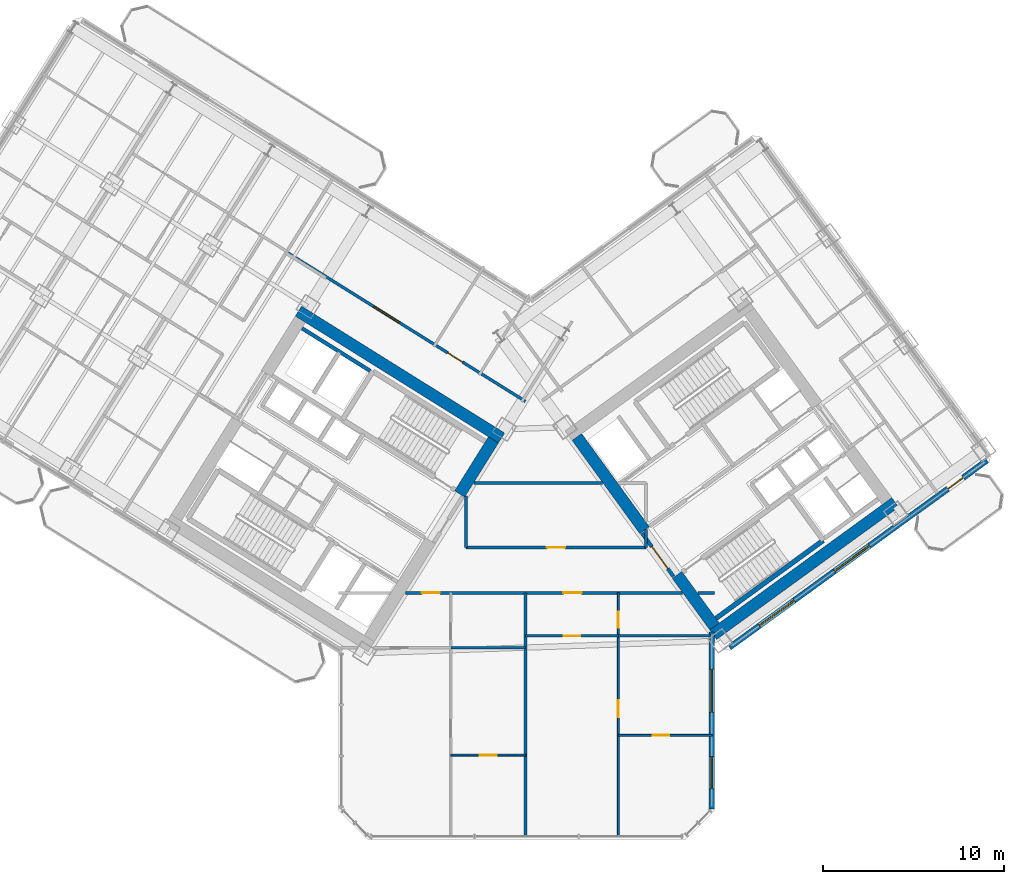
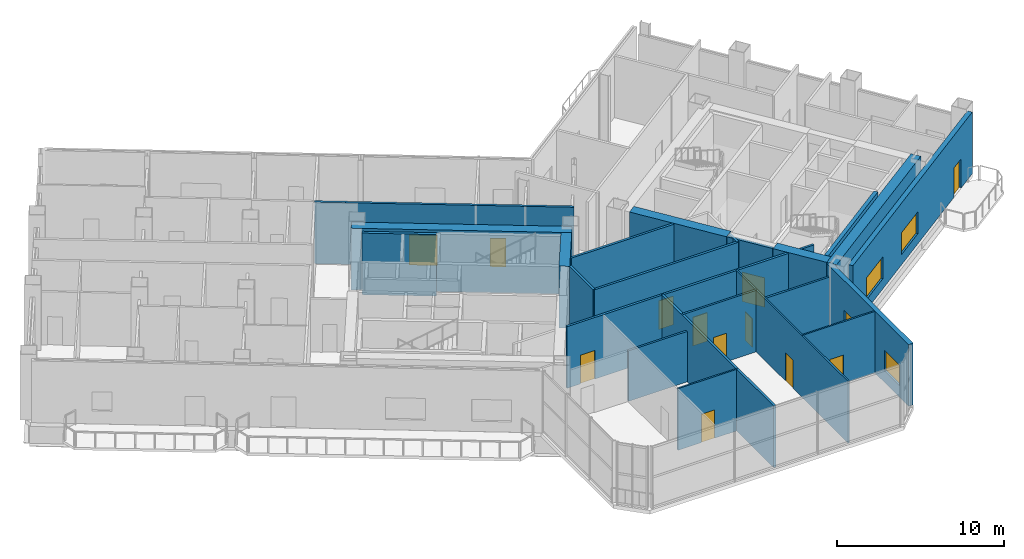
# One storey, part 14 of 22: 24 walls, 12 doors, 4 windows, 16 openings.
"""IFC4 building model written with IfcOpenShell, lengths in metres."""

from ifc_helpers import new_model, si_unit, direction, frame, frame_2d, origin, place, context, subcontext, project, spatial, rectangle, extrude, source, transform, mapped, material, layer, layer_set, type_object, element, fill, save


model = new_model("IFC4")

# Units and contexts
model_context = context("Model", 3, precision=1e-05, world=origin(), true_north=direction((0.0, 1.0)))
body_context = subcontext(model_context, "Body", "Model", "MODEL_VIEW")
ifc_project = project(units=[si_unit("LENGTHUNIT", "METRE"), si_unit("AREAUNIT", "SQUARE_METRE"), si_unit("VOLUMEUNIT", "CUBIC_METRE"), si_unit("PLANEANGLEUNIT", "RADIAN"), si_unit("MASSUNIT", "GRAM", prefix="KILO")], contexts=[model_context])

# Site, building, storey
site_placement = place(None, origin())
site = spatial("IfcSite", under=ifc_project, at=site_placement, CompositionType="ELEMENT")
building_placement = place(site_placement, origin())
building = spatial("IfcBuilding", under=site, at=building_placement, Name="Tlacorven Tower", CompositionType="ELEMENT")
storey_placement = place(building_placement, frame((0.0, 0.0, 71.699951171875)))
storey = spatial("IfcBuildingStorey", under=building, at=storey_placement, Name="L18", CompositionType="ELEMENT", Elevation=71.699951171875)

# Walls
ifc_material_1 = material(Name="Concrete C60/75", Category="concrete")
ifc_layer_1 = layer(ifc_material_1, 0.64990234375)
ifc_layer_set_1 = layer_set([ifc_layer_1], Name="Concrete C60/75")
wall_type_1 = type_object("IfcWallType", Name="WL-COR-650", PredefinedType="SHEAR", material=ifc_layer_set_1)
wall_1_placement = place(storey_placement, frame((40.615478515625, 23.9833984375, 0.0), z_axis=(0.0, 0.0, 1.0), x_axis=(-0.848045953968, 0.529922692436, 0.0)))
element("IfcWall", 1, at=wall_1_placement, inside=storey, type_object=wall_type_1, Name="L18 W core shear wall S1", PredefinedType="SHEAR", context=body_context, shape_type="SweptSolid", body=[
    extrude(rectangle(XDim=13.239990234375, YDim=0.64990234375, at=frame_2d((6.6201171875, 0.0))), origin(), (0.0, 0.0, 1.0), 4.52001953125),
])
wall_2_placement = place(storey_placement, frame((40.167724609375, 23.880126953125, 0.0), z_axis=(0.0, 0.0, 1.0), x_axis=(-0.529893103397, -0.8480644427, 0.0)))
element("IfcWall", 2, at=wall_2_placement, inside=storey, type_object=wall_type_1, Name="L18 W core end wall E1.1", PredefinedType="SHEAR", context=body_context, shape_type="SweptSolid", body=[
    extrude(rectangle(XDim=3.525146484375, YDim=0.64990234375, at=frame_2d((1.7626953125, 0.0))), origin(), (0.0, 0.0, 1.0), 4.52001953125),
])
wall_3_placement = place(storey_placement, frame((52.318359375, 13.1103515625, 0.0), z_axis=(0.0, 0.0, 1.0), x_axis=(0.809019445368, 0.587781878776, 0.0)))
element("IfcWall", 3, at=wall_3_placement, inside=storey, type_object=wall_type_1, Name="L18 E core shear wall S1", PredefinedType="SHEAR", context=body_context, shape_type="SweptSolid", body=[
    extrude(rectangle(XDim=12.43994140625, YDim=0.64990234375, at=frame_2d((6.219970703125, 0.0))), origin(), (0.0, 0.0, 1.0), 4.52001953125),
])
wall_4_placement = place(storey_placement, frame((52.390380859375, 13.564208984375, 0.0), z_axis=(0.0, 0.0, 1.0), x_axis=(-0.58779688989, 0.809008539037, 0.0)))
element("IfcWall", 4, at=wall_4_placement, inside=storey, type_object=wall_type_1, Name="L18 E core end wall E1.1", PredefinedType="SHEAR", context=body_context, shape_type="SweptSolid", body=[
    extrude(rectangle(XDim=3.525146484375, YDim=0.64990234375, at=frame_2d((1.7626953125, 0.0))), origin(), (0.0, 0.0, 1.0), 4.52001953125),
])
wall_5_placement = place(storey_placement, frame((48.525634765625, 18.883544921875, 0.0), z_axis=(0.0, 0.0, 1.0), x_axis=(-0.58777996584, 0.809020835181, 0.0)))
element("IfcWall", 5, at=wall_5_placement, inside=storey, type_object=wall_type_1, Name="L18 E core end wall E1.2", PredefinedType="SHEAR", context=body_context, shape_type="SweptSolid", body=[
    extrude(rectangle(XDim=6.375, YDim=0.64990234375, at=frame_2d((3.1875, 0.0))), origin(), (0.0, 0.0, 1.0), 4.52001953125),
])

# Wall, openings, doors
ifc_material_2 = material(Name="Gypsum plasterboard acoustic partition", Category="gypsum")
ifc_layer_2 = layer(ifc_material_2, 0.159912109375)
ifc_layer_set_2 = layer_set([ifc_layer_2], Name="Gypsum plasterboard acoustic partition")
wall_type_2 = type_object("IfcWallType", Name="WL-DEM-160", PredefinedType="PARTITIONING", material=ifc_layer_set_2)
wall_6_placement = place(storey_placement, frame((41.93603515625, 26.011962890625, 0.0), z_axis=(0.0, 0.0, 1.0), x_axis=(-0.848051154596, 0.529914369676, 0.0)))
wall_6 = element("IfcWall", 6, at=wall_6_placement, inside=storey, type_object=wall_type_2, Name="L18 partition 73", PredefinedType="PARTITIONING", context=body_context, shape_type="SweptSolid", body=[
    extrude(rectangle(XDim=15.56982421875, YDim=0.159912109375, at=frame_2d((7.784912109375, 0.0))), origin(), (0.0, 0.0, 1.0), 4.510009765625),
])
opening_1_placement = place(wall_6_placement, frame((4.10009765625, 0.0, 0.0)))
opening_1 = element("IfcOpeningElement", 7, at=opening_1_placement, cuts=wall_6, Name="Opening D14", PredefinedType="OPENING", context=body_context, shape_type="SweptSolid", body=[
    extrude(rectangle(XDim=0.9599609375, YDim=2.080078125, at=frame_2d((0.47998046875, 1.0400390625))), frame((0.0, 0.08984375, 0.0), z_axis=(0.0, -1.0, 0.0), x_axis=(1.0, 0.0, 0.0)), (0.0, 0.0, 1.0), 0.179931640625),
])
opening_2_placement = place(wall_6_placement, frame((8.199951171875, 0.0, 0.0)))
opening_2 = element("IfcOpeningElement", 8, at=opening_2_placement, cuts=wall_6, Name="Opening D17", PredefinedType="OPENING", context=body_context, shape_type="SweptSolid", body=[
    extrude(rectangle(XDim=1.699951171875, YDim=2.199951171875, at=frame_2d((0.85009765625, 1.10009765625))), frame((0.0, 0.08984375, 0.0), z_axis=(0.0, -1.0, 0.0), x_axis=(1.0, 0.0, 0.0)), (0.0, 0.0, 1.0), 0.179931640625),
])
ifc_material_3 = material(Name="Fire-rated steel door assembly", Category="steel")
door_type_1 = type_object("IfcDoorType", Name="DR-COM-HALL-1700", OperationType="DOUBLE_DOOR_SINGLE_SWING", PredefinedType="DOOR", material=ifc_material_3)
shared_shape_1 = source(origin(), body_context, "Body", "SweptSolid", [
    extrude(rectangle(XDim=1.699951171875, YDim=2.199951171875, at=frame_2d((0.85009765625, 1.10009765625))), frame((0.0, 0.02490234375, 0.0), z_axis=(0.0, -1.0, 0.0), x_axis=(1.0, 0.0, 0.0)), (0.0, 0.0, 1.0), 0.050048828125),
])
door_1_placement = place(opening_2_placement, origin())
door_1 = element("IfcDoor", 9, at=door_1_placement, inside=storey, type_object=door_type_1, Name="L18 door 044", OperationType="DOUBLE_DOOR_SINGLE_SWING", OverallHeight=2.199951171875, OverallWidth=1.699951171875, PredefinedType="DOOR", context=body_context, shape_type="MappedRepresentation", body=[
    mapped(shared_shape_1, transform((0.0, 0.0, 0.0), scale=1.0)),
])
fill(opening_2, door_1)
ifc_material_4 = material(Name="Powder-coated aluminium and timber door", Category="wood")
door_type_2 = type_object("IfcDoorType", Name="DR-INT-AWC-0960", OperationType="NOTDEFINED", PredefinedType="DOOR", material=ifc_material_4)
shared_shape_2 = source(origin(), body_context, "Body", "SweptSolid", [
    extrude(rectangle(XDim=0.9599609375, YDim=2.080078125, at=frame_2d((0.47998046875, 1.0400390625))), frame((0.0, 0.02490234375, 0.0), z_axis=(0.0, -1.0, 0.0), x_axis=(1.0, 0.0, 0.0)), (0.0, 0.0, 1.0), 0.050048828125),
])
door_2_placement = place(opening_1_placement, origin())
door_2 = element("IfcDoor", 10, at=door_2_placement, inside=storey, type_object=door_type_2, Name="L18 door 043", OperationType="SINGLE_SWING_LEFT", OverallHeight=2.080078125, OverallWidth=0.9599609375, PredefinedType="DOOR", context=body_context, shape_type="MappedRepresentation", body=[
    mapped(shared_shape_2, transform((0.0, 0.0, 0.0), scale=1.0)),
])
fill(opening_1, door_2)

wall_7_placement = place(storey_placement, frame((35.29638671875, 15.419921875, 0.0), z_axis=(0.0, 0.0, 1.0), x_axis=(1.0, 0.0, 0.0)))
wall_7 = element("IfcWall", 11, at=wall_7_placement, inside=storey, type_object=wall_type_2, Name="L18 Knuckle Corridor South Wall", PredefinedType="PARTITIONING", context=body_context, shape_type="SweptSolid", body=[
    extrude(rectangle(XDim=15.310546875, YDim=0.159912109375, at=frame_2d((7.6552734375, 0.0))), origin(), (0.0, 0.0, 1.0), 4.510009765625),
])
opening_3_placement = place(wall_7_placement, frame((0.91015625, 0.0, 0.0)))
opening_3 = element("IfcOpeningElement", 12, at=opening_3_placement, cuts=wall_7, Name="Opening D11", PredefinedType="OPENING", context=body_context, shape_type="SweptSolid", body=[
    extrude(rectangle(XDim=1.0, YDim=2.10009765625, at=frame_2d((0.5, 1.050048828125))), frame((0.0, 0.08984375, 0.0), z_axis=(0.0, -1.0, 0.0), x_axis=(1.0, 0.0, 0.0)), (0.0, 0.0, 1.0), 0.179931640625),
])
opening_4_placement = place(wall_7_placement, frame((8.73974609375, 0.0, 0.0)))
opening_4 = element("IfcOpeningElement", 13, at=opening_4_placement, cuts=wall_7, Name="Opening D11", PredefinedType="OPENING", context=body_context, shape_type="SweptSolid", body=[
    extrude(rectangle(XDim=1.0, YDim=2.10009765625, at=frame_2d((0.5, 1.050048828125))), frame((0.0, 0.08984375, 0.0), z_axis=(0.0, -1.0, 0.0), x_axis=(1.0, 0.0, 0.0)), (0.0, 0.0, 1.0), 0.179931640625),
])
door_type_3 = type_object("IfcDoorType", Name="DR-FLT-FD60-1000", OperationType="NOTDEFINED", PredefinedType="DOOR", material=ifc_material_3)
shared_shape_3 = source(origin(), body_context, "Body", "SweptSolid", [
    extrude(rectangle(XDim=1.0, YDim=2.10009765625, at=frame_2d((0.5, 1.050048828125))), frame((0.0, 0.02490234375, 0.0), z_axis=(0.0, -1.0, 0.0), x_axis=(1.0, 0.0, 0.0)), (0.0, 0.0, 1.0), 0.050048828125),
])
door_3_placement = place(opening_3_placement, frame((1.0, 0.0, 0.0), z_axis=(0.0, 0.0, 1.0), x_axis=(-1.0, 0.0, 0.0)))
door_3 = element("IfcDoor", 14, at=door_3_placement, inside=storey, type_object=door_type_3, Name="L18 door 050", OperationType="SINGLE_SWING_LEFT", OverallHeight=2.10009765625, OverallWidth=1.0, PredefinedType="DOOR", context=body_context, shape_type="MappedRepresentation", body=[
    mapped(shared_shape_3, transform((0.0, 0.0, 0.0), scale=1.0)),
])
fill(opening_3, door_3)
door_4_placement = place(opening_4_placement, frame((1.0, 0.0, 0.0), z_axis=(0.0, 0.0, 1.0), x_axis=(-1.0, 0.0, 0.0)))
door_4 = element("IfcDoor", 15, at=door_4_placement, inside=storey, type_object=door_type_3, Name="L18 door 055", OperationType="SINGLE_SWING_RIGHT", OverallHeight=2.10009765625, OverallWidth=1.0, PredefinedType="DOOR", context=body_context, shape_type="MappedRepresentation", body=[
    mapped(shared_shape_3, transform((0.0, 0.0, 0.0), scale=1.0)),
])
fill(opening_4, door_4)

# Wall
wall_8_placement = place(storey_placement, frame((51.477294921875, 15.419921875, 0.0), z_axis=(0.0, 0.0, 1.0), x_axis=(1.0, 0.0, 0.0)))
element("IfcWall", 16, at=wall_8_placement, inside=storey, type_object=wall_type_2, Name="L18 Knuckle Corridor South Wall", PredefinedType="PARTITIONING", context=body_context, shape_type="SweptSolid", body=[
    extrude(rectangle(XDim=0.922607421875, YDim=0.159912109375, at=frame_2d((0.46142578125, 0.0))), origin(), (0.0, 0.0, 1.0), 4.510009765625),
])

# Wall, opening, door
wall_9_placement = place(storey_placement, frame((38.64990234375, 17.929931640625, 0.0), z_axis=(0.0, 0.0, 1.0), x_axis=(1.0, 0.0, 0.0)))
wall_9 = element("IfcWall", 17, at=wall_9_placement, inside=storey, type_object=wall_type_2, Name="L18 partition 80", PredefinedType="PARTITIONING", context=body_context, shape_type="SweptSolid", body=[
    extrude(rectangle(XDim=9.9501953125, YDim=0.159912109375, at=frame_2d((4.97509765625, 0.0))), origin(), (0.0, 0.0, 1.0), 4.510009765625),
])
opening_5_placement = place(wall_9_placement, frame((4.47509765625, 0.0, 0.0)))
opening_5 = element("IfcOpeningElement", 18, at=opening_5_placement, cuts=wall_9, Name="Opening D11", PredefinedType="OPENING", context=body_context, shape_type="SweptSolid", body=[
    extrude(rectangle(XDim=1.0, YDim=2.10009765625, at=frame_2d((0.5, 1.050048828125))), frame((0.0, 0.08984375, 0.0), z_axis=(0.0, -1.0, 0.0), x_axis=(1.0, 0.0, 0.0)), (0.0, 0.0, 1.0), 0.179931640625),
])
door_5_placement = place(opening_5_placement, origin())
door_5 = element("IfcDoor", 19, at=door_5_placement, inside=storey, type_object=door_type_3, Name="L18 door 045", OperationType="SINGLE_SWING_RIGHT", OverallHeight=2.10009765625, OverallWidth=1.0, PredefinedType="DOOR", context=body_context, shape_type="MappedRepresentation", body=[
    mapped(shared_shape_3, transform((0.0, 0.0, 0.0), scale=1.0)),
])
fill(opening_5, door_5)

# Walls
wall_10_placement = place(storey_placement, frame((38.64990234375, 17.929931640625, 0.0), z_axis=(0.0, 0.0, 1.0), x_axis=(0.0, 1.0, 0.0)))
element("IfcWall", 20, at=wall_10_placement, inside=storey, type_object=wall_type_2, Name="L18 partition 81", PredefinedType="PARTITIONING", context=body_context, shape_type="SweptSolid", body=[
    extrude(rectangle(XDim=2.85693359375, YDim=0.159912109375, at=frame_2d((1.428466796875, 0.0))), origin(), (0.0, 0.0, 1.0), 4.510009765625),
])
wall_11_placement = place(storey_placement, frame((48.60009765625, 17.929931640625, 0.0), z_axis=(0.0, 0.0, 1.0), x_axis=(0.0, 1.0, 0.0)))
element("IfcWall", 21, at=wall_11_placement, inside=storey, type_object=wall_type_2, Name="L18 partition 82", PredefinedType="PARTITIONING", context=body_context, shape_type="SweptSolid", body=[
    extrude(rectangle(XDim=0.99267578125, YDim=0.159912109375, at=frame_2d((0.496337890625, 0.0))), origin(), (0.0, 0.0, 1.0), 4.510009765625),
])
wall_12_placement = place(storey_placement, frame((39.095458984375, 21.5, 0.0), z_axis=(0.0, 0.0, 1.0), x_axis=(1.0, 0.0, 0.0)))
element("IfcWall", 22, at=wall_12_placement, inside=storey, type_object=wall_type_2, Name="L18 partition 83", PredefinedType="PARTITIONING", context=body_context, shape_type="SweptSolid", body=[
    extrude(rectangle(XDim=7.09423828125, YDim=0.159912109375, at=frame_2d((3.547119140625, 0.0))), origin(), (0.0, 0.0, 1.0), 4.510009765625),
])
wall_13_placement = place(storey_placement, frame((41.949951171875, 1.9599609375, 0.0), z_axis=(0.0, 0.0, 1.0), x_axis=(0.0, 1.0, 0.0)))
element("IfcWall", 23, at=wall_13_placement, inside=storey, type_object=wall_type_2, Name="L18 Knuckle Demising Wall 1", PredefinedType="PARTITIONING", context=body_context, shape_type="SweptSolid", body=[
    extrude(rectangle(XDim=13.4599609375, YDim=0.159912109375, at=frame_2d((6.72998046875, 0.0))), origin(), (0.0, 0.0, 1.0), 4.510009765625),
])

# Wall, openings, door, windows
ifc_material_5 = material(Name="Precast concrete C45/55", Category="concrete")
ifc_layer_3 = layer(ifc_material_5, 0.320068359375)
ifc_layer_set_3 = layer_set([ifc_layer_3], Name="Precast concrete C45/55")
wall_type_3 = type_object("IfcWallType", Name="WL-EXT-320", PredefinedType="STANDARD", material=ifc_layer_set_3)
wall_14_placement = place(storey_placement, frame((67.45361328125, 22.746826171875, 0.0), z_axis=(0.0, 0.0, 1.0), x_axis=(-0.809021120468, -0.587779573171, 0.0)))
wall_14 = element("IfcWall", 24, at=wall_14_placement, inside=storey, type_object=wall_type_3, Name="L18 Masonry-Frame Recessed Facade Wall 6", PredefinedType="STANDARD", context=body_context, shape_type="SweptSolid", body=[
    extrude(rectangle(XDim=17.587646484375, YDim=0.320068359375, at=frame_2d((8.7939453125, 0.0))), origin(), (0.0, 0.0, 1.0), 4.52001953125),
])
opening_6_placement = place(wall_14_placement, frame((1.623779296875, 0.0, 0.0)))
opening_6 = element("IfcOpeningElement", 25, at=opening_6_placement, cuts=wall_14, Name="Opening D06", PredefinedType="OPENING", context=body_context, shape_type="SweptSolid", body=[
    extrude(rectangle(XDim=1.050048828125, YDim=2.14990234375, at=frame_2d((0.52490234375, 1.074951171875))), frame((0.0, 0.169921875, 0.0), z_axis=(0.0, -1.0, 0.0), x_axis=(1.0, 0.0, 0.0)), (0.0, 0.0, 1.0), 0.340087890625),
])
opening_7_placement = place(wall_14_placement, frame((8.018798828125, 0.0, 0.75)))
opening_7 = element("IfcOpeningElement", 26, at=opening_7_placement, cuts=wall_14, Name="Opening WN06", PredefinedType="OPENING", context=body_context, shape_type="SweptSolid", body=[
    extrude(rectangle(XDim=2.39990234375, YDim=1.60009765625, at=frame_2d((1.199951171875, 0.800048828125))), frame((0.0, 0.169921875, 0.0), z_axis=(0.0, -1.0, 0.0), x_axis=(1.0, 0.0, 0.0)), (0.0, 0.0, 1.0), 0.340087890625),
])
opening_8_placement = place(wall_14_placement, frame((13.168701171875, 0.0, 0.75)))
opening_8 = element("IfcOpeningElement", 27, at=opening_8_placement, cuts=wall_14, Name="Opening WN06", PredefinedType="OPENING", context=body_context, shape_type="SweptSolid", body=[
    extrude(rectangle(XDim=2.39990234375, YDim=1.60009765625, at=frame_2d((1.199951171875, 0.800048828125))), frame((0.0, 0.169921875, 0.0), z_axis=(0.0, -1.0, 0.0), x_axis=(1.0, 0.0, 0.0)), (0.0, 0.0, 1.0), 0.340087890625),
])
door_type_4 = type_object("IfcDoorType", Name="DR-EXT-BALC-1050", OperationType="NOTDEFINED", PredefinedType="DOOR", material=ifc_material_4)
shared_shape_4 = source(origin(), body_context, "Body", "SweptSolid", [
    extrude(rectangle(XDim=1.050048828125, YDim=2.14990234375, at=frame_2d((0.52490234375, 1.074951171875))), frame((0.0, 0.02490234375, 0.0), z_axis=(0.0, -1.0, 0.0), x_axis=(1.0, 0.0, 0.0)), (0.0, 0.0, 1.0), 0.050048828125),
])
door_6_placement = place(opening_6_placement, origin())
door_6 = element("IfcDoor", 28, at=door_6_placement, inside=storey, type_object=door_type_4, Name="L18 Outdoor Access Door BAL-L18-E-OUT", OperationType="SINGLE_SWING_LEFT", OverallHeight=2.14990234375, OverallWidth=1.050048828125, PredefinedType="DOOR", context=body_context, shape_type="MappedRepresentation", body=[
    mapped(shared_shape_4, transform((0.0, 0.0, 0.0), scale=1.0)),
])
fill(opening_6, door_6)
ifc_material_6 = material(Name="Dark solar low-E double glazing in anodised aluminium frame", Category="aluminium")
window_type_1 = type_object("IfcWindowType", Name="WN-APT-2400X1800", PartitioningType="SINGLE_PANEL", PredefinedType="WINDOW", material=ifc_material_6)
shared_shape_5 = source(origin(), body_context, "Body", "SweptSolid", [
    extrude(rectangle(XDim=2.39990234375, YDim=1.60009765625, at=frame_2d((1.199951171875, 0.800048828125))), frame((0.0, 0.030029296875, 0.0), z_axis=(0.0, -1.0, 0.0), x_axis=(1.0, 0.0, 0.0)), (0.0, 0.0, 1.0), 0.06005859375),
])
window_1_placement = place(opening_7_placement, origin())
window_1 = element("IfcWindow", 29, at=window_1_placement, inside=storey, type_object=window_type_1, Name="L18 Recessed Masonry-Frame Window L18-06.1", OverallHeight=1.60009765625, OverallWidth=2.39990234375, PartitioningType="SINGLE_PANEL", PredefinedType="WINDOW", context=body_context, shape_type="MappedRepresentation", body=[
    mapped(shared_shape_5, transform((0.0, 0.0, 0.0), scale=1.0)),
])
fill(opening_7, window_1)
window_2_placement = place(opening_8_placement, origin())
window_2 = element("IfcWindow", 30, at=window_2_placement, inside=storey, type_object=window_type_1, Name="L18 Recessed Masonry-Frame Window L18-06.2", OverallHeight=1.60009765625, OverallWidth=2.39990234375, PartitioningType="SINGLE_PANEL", PredefinedType="WINDOW", context=body_context, shape_type="MappedRepresentation", body=[
    mapped(shared_shape_5, transform((0.0, 0.0, 0.0), scale=1.0)),
])
fill(opening_8, window_2)

# Wall, openings, windows
wall_15_placement = place(storey_placement, frame((52.239990234375, 13.260986328125, 0.0), z_axis=(0.0, 0.0, 1.0), x_axis=(0.0, -1.0, 0.0)))
wall_15 = element("IfcWall", 31, at=wall_15_placement, inside=storey, type_object=wall_type_3, Name="L18 Masonry-Frame Recessed Facade Wall 7", PredefinedType="STANDARD", context=body_context, shape_type="SweptSolid", body=[
    extrude(rectangle(XDim=9.794677734375, YDim=0.320068359375, at=frame_2d((4.8974609375, 0.0))), origin(), (0.0, 0.0, 1.0), 4.52001953125),
])
opening_9_placement = place(wall_15_placement, frame((2.04931640625, 0.0, 0.75)))
opening_9 = element("IfcOpeningElement", 32, at=opening_9_placement, cuts=wall_15, Name="Opening WN06", PredefinedType="OPENING", context=body_context, shape_type="SweptSolid", body=[
    extrude(rectangle(XDim=2.39990234375, YDim=1.60009765625, at=frame_2d((1.199951171875, 0.800048828125))), frame((0.0, 0.169921875, 0.0), z_axis=(0.0, -1.0, 0.0), x_axis=(1.0, 0.0, 0.0)), (0.0, 0.0, 1.0), 0.340087890625),
])
opening_10_placement = place(wall_15_placement, frame((6.880126953125, 0.0, 0.85009765625)))
opening_10 = element("IfcOpeningElement", 33, at=opening_10_placement, cuts=wall_15, Name="Opening WN01", PredefinedType="OPENING", context=body_context, shape_type="SweptSolid", body=[
    extrude(rectangle(XDim=1.800048828125, YDim=1.5, at=frame_2d((0.89990234375, 0.75))), frame((0.0, 0.169921875, 0.0), z_axis=(0.0, -1.0, 0.0), x_axis=(1.0, 0.0, 0.0)), (0.0, 0.0, 1.0), 0.340087890625),
])
window_type_2 = type_object("IfcWindowType", Name="WN-APT-1800X1650", PartitioningType="SINGLE_PANEL", PredefinedType="WINDOW", material=ifc_material_6)
shared_shape_6 = source(origin(), body_context, "Body", "SweptSolid", [
    extrude(rectangle(XDim=1.800048828125, YDim=1.5, at=frame_2d((0.89990234375, 0.75))), frame((0.0, 0.030029296875, 0.0), z_axis=(0.0, -1.0, 0.0), x_axis=(1.0, 0.0, 0.0)), (0.0, 0.0, 1.0), 0.06005859375),
])
window_3_placement = place(opening_10_placement, origin())
window_3 = element("IfcWindow", 34, at=window_3_placement, inside=storey, type_object=window_type_2, Name="L18 Recessed Masonry-Frame Window L18-07.2", OverallHeight=1.5, OverallWidth=1.800048828125, PartitioningType="SINGLE_PANEL", PredefinedType="WINDOW", context=body_context, shape_type="MappedRepresentation", body=[
    mapped(shared_shape_6, transform((0.0, 0.0, 0.0), scale=1.0)),
])
fill(opening_10, window_3)
window_4_placement = place(opening_9_placement, origin())
window_4 = element("IfcWindow", 35, at=window_4_placement, inside=storey, type_object=window_type_1, Name="L18 Recessed Masonry-Frame Window L18-07.1", OverallHeight=1.60009765625, OverallWidth=2.39990234375, PartitioningType="SINGLE_PANEL", PredefinedType="WINDOW", context=body_context, shape_type="MappedRepresentation", body=[
    mapped(shared_shape_5, transform((0.0, 0.0, 0.0), scale=1.0)),
])
fill(opening_9, window_4)

# Wall, opening, door
ifc_material_7 = material(Name="Gypsum plasterboard partition", Category="gypsum")
ifc_layer_4 = layer(ifc_material_7, 0.110107421875)
ifc_layer_set_4 = layer_set([ifc_layer_4], Name="Gypsum plasterboard partition")
wall_type_4 = type_object("IfcWallType", Name="WL-INT-110", PredefinedType="PARTITIONING", material=ifc_layer_set_4)
wall_16_placement = place(storey_placement, frame((37.81298828125, 6.449951171875, 0.0), z_axis=(0.0, 0.0, 1.0), x_axis=(1.0, 0.0, 0.0)))
wall_16 = element("IfcWall", 36, at=wall_16_placement, inside=storey, type_object=wall_type_4, Name="L18 partition 89", PredefinedType="PARTITIONING", context=body_context, shape_type="SweptSolid", body=[
    extrude(rectangle(XDim=4.136962890625, YDim=0.110107421875, at=frame_2d((2.068359375, 0.0))), origin(), (0.0, 0.0, 1.0), 4.510009765625),
])
opening_11_placement = place(wall_16_placement, frame((1.6083984375, 0.0, 0.0)))
opening_11 = element("IfcOpeningElement", 37, at=opening_11_placement, cuts=wall_16, Name="Opening D12", PredefinedType="OPENING", context=body_context, shape_type="SweptSolid", body=[
    extrude(rectangle(XDim=0.919921875, YDim=2.080078125, at=frame_2d((0.4599609375, 1.0400390625))), frame((0.0, 0.06494140625, 0.0), z_axis=(0.0, -1.0, 0.0), x_axis=(1.0, 0.0, 0.0)), (0.0, 0.0, 1.0), 0.130126953125),
])
door_type_5 = type_object("IfcDoorType", Name="DR-INT-ROOM-0920", OperationType="NOTDEFINED", PredefinedType="DOOR", material=ifc_material_4)
shared_shape_7 = source(origin(), body_context, "Body", "SweptSolid", [
    extrude(rectangle(XDim=0.919921875, YDim=2.080078125, at=frame_2d((0.4599609375, 1.0400390625))), frame((0.0, 0.02490234375, 0.0), z_axis=(0.0, -1.0, 0.0), x_axis=(1.0, 0.0, 0.0)), (0.0, 0.0, 1.0), 0.050048828125),
])
door_7_placement = place(opening_11_placement, origin())
door_7 = element("IfcDoor", 38, at=door_7_placement, inside=storey, type_object=door_type_5, Name="L18 door 049", OperationType="SINGLE_SWING_RIGHT", OverallHeight=2.080078125, OverallWidth=0.919921875, PredefinedType="DOOR", context=body_context, shape_type="MappedRepresentation", body=[
    mapped(shared_shape_7, transform((0.0, 0.0, 0.0), scale=1.0)),
])
fill(opening_11, door_7)

# Wall, openings, doors
wall_17_placement = place(storey_placement, frame((47.072021484375, 1.9599609375, 0.0), z_axis=(0.0, 0.0, 1.0), x_axis=(0.0, 1.0, 0.0)))
wall_17 = element("IfcWall", 39, at=wall_17_placement, inside=storey, type_object=wall_type_4, Name="L18 partition 90", PredefinedType="PARTITIONING", context=body_context, shape_type="SweptSolid", body=[
    extrude(rectangle(XDim=13.4599609375, YDim=0.110107421875, at=frame_2d((6.72998046875, 0.0))), origin(), (0.0, 0.0, 1.0), 4.510009765625),
])
opening_12_placement = place(wall_17_placement, frame((6.60009765625, 0.0, 0.0)))
opening_12 = element("IfcOpeningElement", 40, at=opening_12_placement, cuts=wall_17, Name="Opening D12", PredefinedType="OPENING", context=body_context, shape_type="SweptSolid", body=[
    extrude(rectangle(XDim=0.919921875, YDim=2.080078125, at=frame_2d((0.4599609375, 1.0400390625))), frame((0.0, 0.06494140625, 0.0), z_axis=(0.0, -1.0, 0.0), x_axis=(1.0, 0.0, 0.0)), (0.0, 0.0, 1.0), 0.130126953125),
])
opening_13_placement = place(wall_17_placement, frame((11.5400390625, 0.0, 0.0)))
opening_13 = element("IfcOpeningElement", 41, at=opening_13_placement, cuts=wall_17, Name="Opening D13", PredefinedType="OPENING", context=body_context, shape_type="SweptSolid", body=[
    extrude(rectangle(XDim=0.8798828125, YDim=2.080078125, at=frame_2d((0.43994140625, 1.0400390625))), frame((0.0, 0.06494140625, 0.0), z_axis=(0.0, -1.0, 0.0), x_axis=(1.0, 0.0, 0.0)), (0.0, 0.0, 1.0), 0.130126953125),
])
door_type_6 = type_object("IfcDoorType", Name="DR-INT-WET-0880", OperationType="NOTDEFINED", PredefinedType="DOOR", material=ifc_material_4)
shared_shape_8 = source(origin(), body_context, "Body", "SweptSolid", [
    extrude(rectangle(XDim=0.8798828125, YDim=2.080078125, at=frame_2d((0.43994140625, 1.0400390625))), frame((0.0, 0.02490234375, 0.0), z_axis=(0.0, -1.0, 0.0), x_axis=(1.0, 0.0, 0.0)), (0.0, 0.0, 1.0), 0.050048828125),
])
door_8_placement = place(opening_13_placement, origin())
door_8 = element("IfcDoor", 42, at=door_8_placement, inside=storey, type_object=door_type_6, Name="L18 door 057", OperationType="SINGLE_SWING_RIGHT", OverallHeight=2.080078125, OverallWidth=0.8798828125, PredefinedType="DOOR", context=body_context, shape_type="MappedRepresentation", body=[
    mapped(shared_shape_8, transform((0.0, 0.0, 0.0), scale=1.0)),
])
fill(opening_13, door_8)
door_9_placement = place(opening_12_placement, origin())
door_9 = element("IfcDoor", 43, at=door_9_placement, inside=storey, type_object=door_type_5, Name="L18 door 053", OperationType="SINGLE_SWING_RIGHT", OverallHeight=2.080078125, OverallWidth=0.919921875, PredefinedType="DOOR", context=body_context, shape_type="MappedRepresentation", body=[
    mapped(shared_shape_7, transform((0.0, 0.0, 0.0), scale=1.0)),
])
fill(opening_12, door_9)

# Wall, opening, door
wall_18_placement = place(storey_placement, frame((47.072021484375, 7.550048828125, 0.0), z_axis=(0.0, 0.0, 1.0), x_axis=(1.0, 0.0, 0.0)))
wall_18 = element("IfcWall", 44, at=wall_18_placement, inside=storey, type_object=wall_type_4, Name="L18 partition 93", PredefinedType="PARTITIONING", context=body_context, shape_type="SweptSolid", body=[
    extrude(rectangle(XDim=5.18798828125, YDim=0.110107421875, at=frame_2d((2.593994140625, 0.0))), origin(), (0.0, 0.0, 1.0), 4.510009765625),
])
opening_14_placement = place(wall_18_placement, frame((1.904052734375, 0.0, 0.0)))
opening_14 = element("IfcOpeningElement", 45, at=opening_14_placement, cuts=wall_18, Name="Opening D12", PredefinedType="OPENING", context=body_context, shape_type="SweptSolid", body=[
    extrude(rectangle(XDim=0.919921875, YDim=2.080078125, at=frame_2d((0.4599609375, 1.0400390625))), frame((0.0, 0.06494140625, 0.0), z_axis=(0.0, -1.0, 0.0), x_axis=(1.0, 0.0, 0.0)), (0.0, 0.0, 1.0), 0.130126953125),
])
door_10_placement = place(opening_14_placement, origin())
door_10 = element("IfcDoor", 46, at=door_10_placement, inside=storey, type_object=door_type_5, Name="L18 door 054", OperationType="SINGLE_SWING_LEFT", OverallHeight=2.080078125, OverallWidth=0.919921875, PredefinedType="DOOR", context=body_context, shape_type="MappedRepresentation", body=[
    mapped(shared_shape_7, transform((0.0, 0.0, 0.0), scale=1.0)),
])
fill(opening_14, door_10)

# Wall
ifc_material_8 = material(Name="Moisture-resistant gypsum plumbing wall", Category="gypsum")
ifc_layer_5 = layer(ifc_material_8, 0.139892578125)
ifc_layer_set_5 = layer_set([ifc_layer_5], Name="Moisture-resistant gypsum plumbing wall")
wall_type_5 = type_object("IfcWallType", Name="WL-PLM-140", PredefinedType="PLUMBINGWALL", material=ifc_layer_set_5)
wall_19_placement = place(storey_placement, frame((37.81298828125, 12.389892578125, 0.0), z_axis=(0.0, 0.0, 1.0), x_axis=(1.0, 0.0, 0.0)))
element("IfcWall", 47, at=wall_19_placement, inside=storey, type_object=wall_type_5, Name="L18 partition 88", PredefinedType="PLUMBINGWALL", context=body_context, shape_type="SweptSolid", body=[
    extrude(rectangle(XDim=4.136962890625, YDim=0.139892578125, at=frame_2d((2.068359375, 0.0))), origin(), (0.0, 0.0, 1.0), 3.695068359375),
])

# Wall, opening, door
wall_20_placement = place(storey_placement, frame((41.949951171875, 13.0400390625, 0.0), z_axis=(0.0, 0.0, 1.0), x_axis=(1.0, 0.0, 0.0)))
wall_20 = element("IfcWall", 48, at=wall_20_placement, inside=storey, type_object=wall_type_5, Name="L18 partition 91", PredefinedType="PLUMBINGWALL", context=body_context, shape_type="SweptSolid", body=[
    extrude(rectangle(XDim=5.1220703125, YDim=0.139892578125, at=frame_2d((2.56103515625, 0.0))), origin(), (0.0, 0.0, 1.0), 4.510009765625),
])
opening_15_placement = place(wall_20_placement, frame((2.10107421875, 0.0, 0.0)))
opening_15 = element("IfcOpeningElement", 49, at=opening_15_placement, cuts=wall_20, Name="Opening D12", PredefinedType="OPENING", context=body_context, shape_type="SweptSolid", body=[
    extrude(rectangle(XDim=0.919921875, YDim=2.080078125, at=frame_2d((0.4599609375, 1.0400390625))), frame((0.0, 0.080078125, 0.0), z_axis=(0.0, -1.0, 0.0), x_axis=(1.0, 0.0, 0.0)), (0.0, 0.0, 1.0), 0.159912109375),
])
door_11_placement = place(opening_15_placement, frame((0.919921875, 0.0, 0.0), z_axis=(0.0, 0.0, 1.0), x_axis=(-1.0, 0.0, 0.0)))
door_11 = element("IfcDoor", 50, at=door_11_placement, inside=storey, type_object=door_type_5, Name="L18 door 056", OperationType="SINGLE_SWING_LEFT", OverallHeight=2.080078125, OverallWidth=0.919921875, PredefinedType="DOOR", context=body_context, shape_type="MappedRepresentation", body=[
    mapped(shared_shape_7, transform((0.0, 0.0, 0.0), scale=1.0)),
])
fill(opening_15, door_11)

# Walls
wall_21_placement = place(storey_placement, frame((47.072021484375, 13.0400390625, 0.0), z_axis=(0.0, 0.0, 1.0), x_axis=(1.0, 0.0, 0.0)))
element("IfcWall", 51, at=wall_21_placement, inside=storey, type_object=wall_type_5, Name="L18 partition 92", PredefinedType="PLUMBINGWALL", context=body_context, shape_type="SweptSolid", body=[
    extrude(rectangle(XDim=5.129150390625, YDim=0.139892578125, at=frame_2d((2.564453125, 0.0))), origin(), (0.0, 0.0, 1.0), 3.695068359375),
])
ifc_material_9 = material(Name="Concrete C40/50", Category="concrete")
ifc_layer_6 = layer(ifc_material_9, 0.199951171875)
ifc_layer_set_6 = layer_set([ifc_layer_6], Name="Concrete C40/50")
wall_type_6 = type_object("IfcWallType", Name="WL-SHF-200", PredefinedType="STANDARD", material=ifc_layer_set_6)
wall_22_placement = place(storey_placement, frame((33.362548828125, 27.690185546875, 0.0), z_axis=(0.0, 0.0, 1.0), x_axis=(-0.848053806312, 0.529910125964, 0.0)))
element("IfcWall", 52, at=wall_22_placement, inside=storey, type_object=wall_type_6, Name="L18 partition 17", PredefinedType="STANDARD", context=body_context, shape_type="SweptSolid", body=[
    extrude(rectangle(XDim=4.44775390625, YDim=0.199951171875, at=frame_2d((2.223876953125, 0.0))), origin(), (0.0, 0.0, 1.0), 4.510009765625),
])

# Wall, opening, door
wall_23_placement = place(storey_placement, frame((50.119140625, 16.3330078125, 0.0), z_axis=(0.0, 0.0, 1.0), x_axis=(-0.587749856981, 0.809042709391, 0.0)))
wall_23 = element("IfcWall", 53, at=wall_23_placement, inside=storey, type_object=wall_type_6, Name="L18 partition 84", PredefinedType="STANDARD", context=body_context, shape_type="SweptSolid", body=[
    extrude(rectangle(XDim=2.9599609375, YDim=0.199951171875, at=frame_2d((1.47998046875, 0.0))), origin(), (0.0, 0.0, 1.0), 4.510009765625),
])
opening_16_placement = place(wall_23_placement, frame((0.530029296875, 0.0, 0.0)))
opening_16 = element("IfcOpeningElement", 54, at=opening_16_placement, cuts=wall_23, Name="Opening D10", PredefinedType="OPENING", context=body_context, shape_type="SweptSolid", body=[
    extrude(rectangle(XDim=1.5, YDim=2.14990234375, at=frame_2d((0.75, 1.074951171875))), frame((0.0, 0.10986328125, 0.0), z_axis=(0.0, -1.0, 0.0), x_axis=(1.0, 0.0, 0.0)), (0.0, 0.0, 1.0), 0.219970703125),
])
door_type_7 = type_object("IfcDoorType", Name="DR-LOB-FD60-1500", OperationType="DOUBLE_DOOR_SINGLE_SWING", PredefinedType="DOOR", material=ifc_material_3)
shared_shape_9 = source(origin(), body_context, "Body", "SweptSolid", [
    extrude(rectangle(XDim=1.5, YDim=2.14990234375, at=frame_2d((0.75, 1.074951171875))), frame((0.0, 0.02490234375, 0.0), z_axis=(0.0, -1.0, 0.0), x_axis=(1.0, 0.0, 0.0)), (0.0, 0.0, 1.0), 0.050048828125),
])
door_12_placement = place(opening_16_placement, frame((1.5, 0.0, 0.0), z_axis=(0.0, 0.0, 1.0), x_axis=(-1.0, 0.0, 0.0)))
door_12 = element("IfcDoor", 55, at=door_12_placement, inside=storey, type_object=door_type_7, Name="L18 door 047", OperationType="DOUBLE_DOOR_SINGLE_SWING", OverallHeight=2.14990234375, OverallWidth=1.5, PredefinedType="DOOR", context=body_context, shape_type="MappedRepresentation", body=[
    mapped(shared_shape_9, transform((0.0, 0.0, 0.0), scale=1.0)),
])
fill(opening_16, door_12)

# Wall
ifc_material_10 = material(Name="Concrete C50/60", Category="concrete")
ifc_layer_7 = layer(ifc_material_10, 0.260009765625)
ifc_layer_set_7 = layer_set([ifc_layer_7], Name="Concrete C50/60")
wall_type_7 = type_object("IfcWallType", Name="WL-STW-260", PredefinedType="SHEAR", material=ifc_layer_set_7)
wall_24_placement = place(storey_placement, frame((52.47216796875, 14.01318359375, 0.0), z_axis=(0.0, 0.0, 1.0), x_axis=(0.809028366311, 0.587769599847, 0.0)))
element("IfcWall", 56, at=wall_24_placement, inside=storey, type_object=wall_type_7, Name="L18 Stair E2 Far Shear Wall", PredefinedType="SHEAR", context=body_context, shape_type="SweptSolid", body=[
    extrude(rectangle(XDim=7.330078125, YDim=0.260009765625, at=frame_2d((3.6650390625, 0.0))), origin(), (0.0, 0.0, 1.0), 4.52001953125),
])

save(model, "model.ifc")
